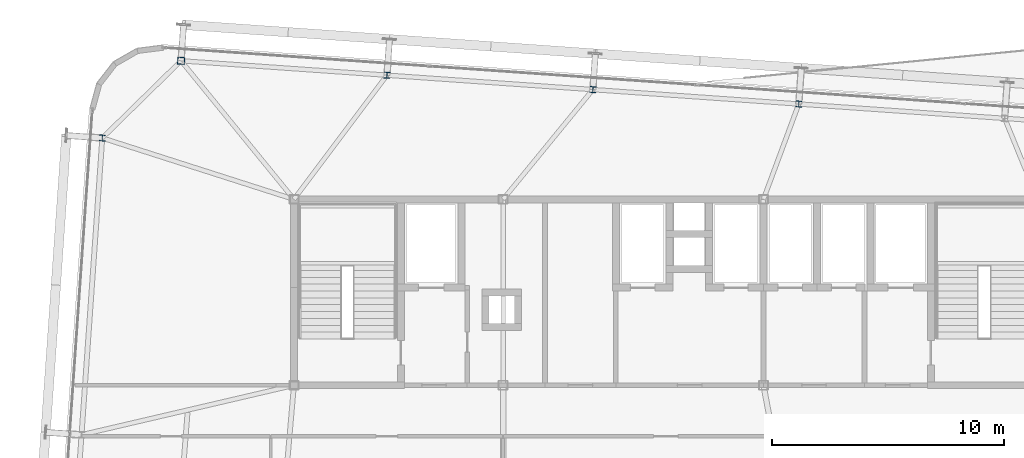
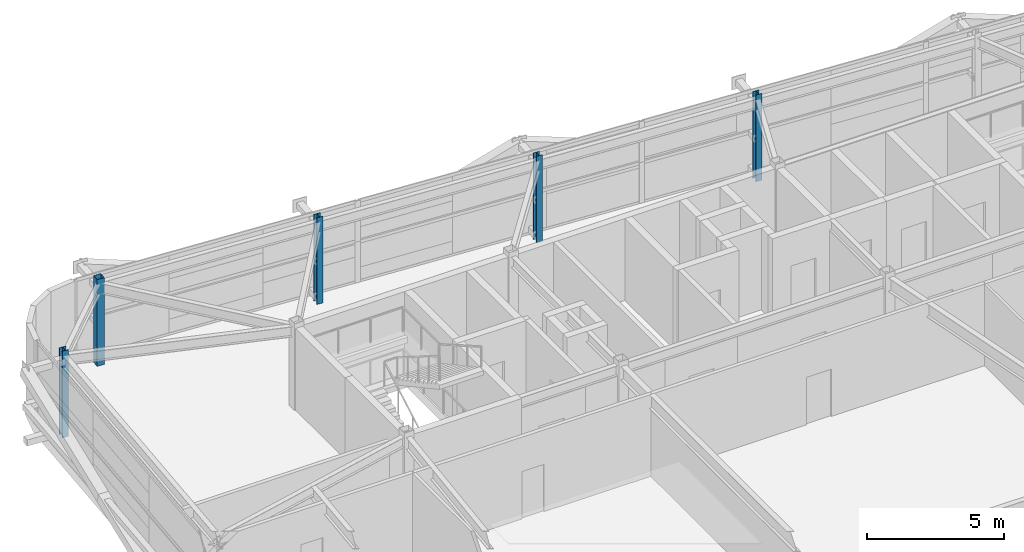
# One storey, part 4 of 36: 5 columns.
"""IFC4 building model written with IfcOpenShell, lengths in metres."""

from ifc_helpers import new_model, si_unit, direction, frame, origin, origin_2d, place, context, subcontext, project, spatial, hollow_rectangle, i_section, extrude, source, transform, mapped, material, material_profile, profile_set, type_object, element, save


model = new_model("IFC4")

# Units and contexts
model_context = context("Model", 3, precision=1e-05, world=origin(), true_north=direction((0.0, 1.0)))
body_context = subcontext(model_context, "Body", "Model", "MODEL_VIEW")
ifc_project = project(units=[si_unit("LENGTHUNIT", "METRE"), si_unit("AREAUNIT", "SQUARE_METRE"), si_unit("VOLUMEUNIT", "CUBIC_METRE"), si_unit("PLANEANGLEUNIT", "RADIAN"), si_unit("MASSUNIT", "GRAM", prefix="KILO")], contexts=[model_context])

# Site, building, storey
site_placement = place(None, origin())
site = spatial("IfcSite", under=ifc_project, at=site_placement, CompositionType="ELEMENT")
building_placement = place(site_placement, origin())
building = spatial("IfcBuilding", under=site, at=building_placement, Name="Taldren Reach Tower", CompositionType="ELEMENT")
storey_placement = place(building_placement, frame((0.0, 0.0, 116.550048828125)))
storey = spatial("IfcBuildingStorey", under=building, at=storey_placement, Name="L35", CompositionType="ELEMENT", Elevation=116.550048828125)

# Columns
ifc_material_1 = material(Name="Steel Gr 450 (C450L0)", Category="steel")
ifc_material_profile_1 = material_profile(ifc_material_1, hollow_rectangle(XDim=0.300048828125, YDim=0.300048828125, WallThickness=0.012451171875, at=origin_2d()), Name="300x300x12.5SHS")
ifc_profile_set_1 = profile_set([ifc_material_profile_1], Name="Steel Gr 450 (C450L0)")
column_type_1 = type_object("IfcColumnType", Name="COL-SHS300", PredefinedType="COLUMN", material=ifc_profile_set_1)
shared_shape_1 = source(origin(), body_context, "Body", "SweptSolid", [
    extrude(hollow_rectangle(XDim=0.300048828125, YDim=0.300048828125, WallThickness=0.012451171875, at=origin_2d()), origin(), (0.0, 0.0, 1.0), 3.849853515625),
])
column_placement = place(storey_placement, frame((14.14453125, 37.958740234375, 0.0), z_axis=(0.0, 0.0, 1.0), x_axis=(0.99756405026, -0.069756473744, 0.0)))
element("IfcColumn", 1, at=column_placement, inside=storey, type_object=column_type_1, Name="Block B3 perimeter column N1 L35", PredefinedType="COLUMN", context=body_context, shape_type="MappedRepresentation", body=[
    mapped(shared_shape_1, transform((0.0, 0.0, 0.0), scale=1.0)),
])
ifc_material_2 = material(Name="Steel Gr 350 (350PLUS)", Category="steel")
ifc_material_profile_2 = material_profile(ifc_material_2, i_section(OverallWidth=0.256103515625, OverallDepth=0.260009765625, WebThickness=0.010498046875, FlangeThickness=0.017333984375, at=origin_2d()), Name="250UC89.5")
ifc_profile_set_2 = profile_set([ifc_material_profile_2], Name="Steel Gr 350 (350PLUS)")
column_type_2 = type_object("IfcColumnType", Name="COL-UC250", PredefinedType="COLUMN", material=ifc_profile_set_2)
shared_shape_2 = source(origin(), body_context, "Body", "SweptSolid", [
    extrude(i_section(OverallWidth=0.256103515625, OverallDepth=0.260009765625, WebThickness=0.010498046875, FlangeThickness=0.017333984375, at=origin_2d()), origin(), (0.0, 0.0, 1.0), 3.849853515625),
])
for number, where, z_axis, x_axis, name in (
    (2, (23.0029296875, 37.33935546875, 0.0), (0.0, 0.0, 1.0), (0.99756405026, -0.069756473744, 0.0), "Block B3 perimeter column N2 L35"),
    (3, (31.861328125, 36.719970703125, 0.0), (0.0, 0.0, 1.0), (0.99756405026, -0.069756473744, 0.0), "Block B3 perimeter column N3 L35"),
    (4, (40.7197265625, 36.100341796875, 0.0), (0.0, 0.0, 1.0), (0.99756405026, -0.069756473744, 0.0), "Block B3 perimeter column N4 L35"),
    (5, (10.754638671875, 34.63720703125, 0.0), (0.0, 0.0, 1.0), (0.99756405026, -0.069756473744, 0.0), "Block B3 perimeter column W3 L35"),
):
    element("IfcColumn", number, at=place(storey_placement, frame(where, z_axis=z_axis, x_axis=x_axis)), inside=storey, type_object=column_type_2, Name=name, PredefinedType="COLUMN", context=body_context, shape_type="MappedRepresentation", body=[
        mapped(shared_shape_2, transform((0.0, 0.0, 0.0), scale=1.0)),
    ])

save(model, "model.ifc")
